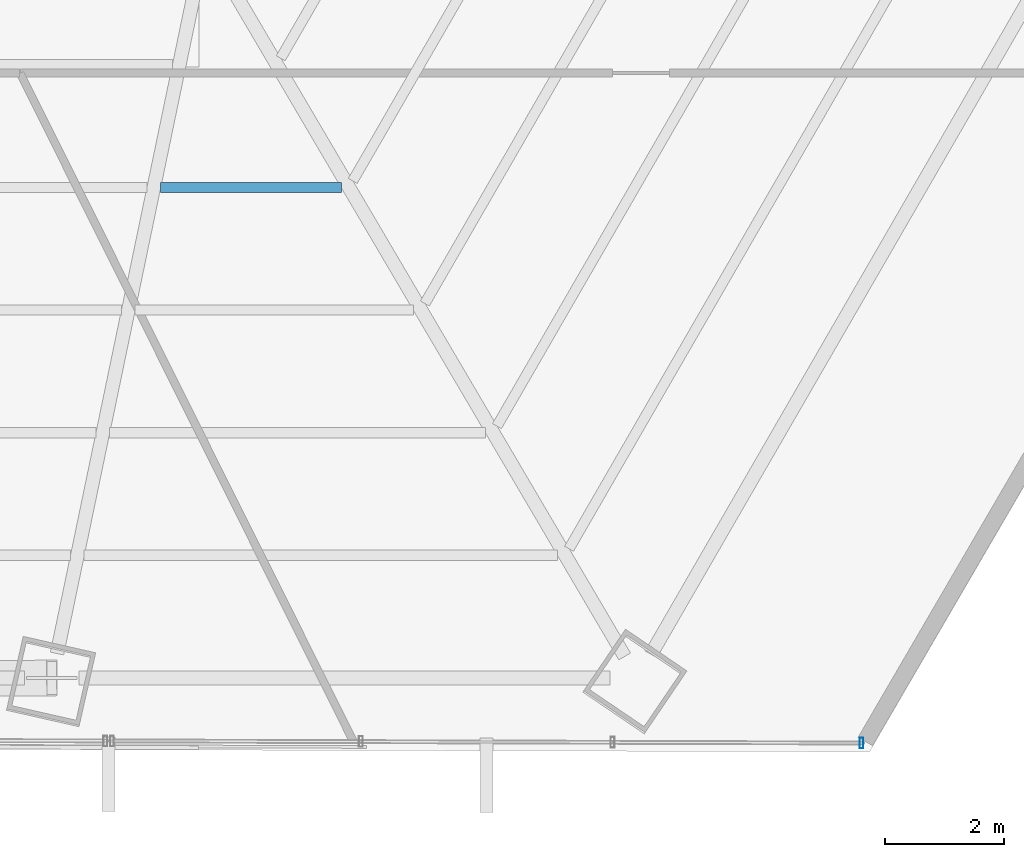
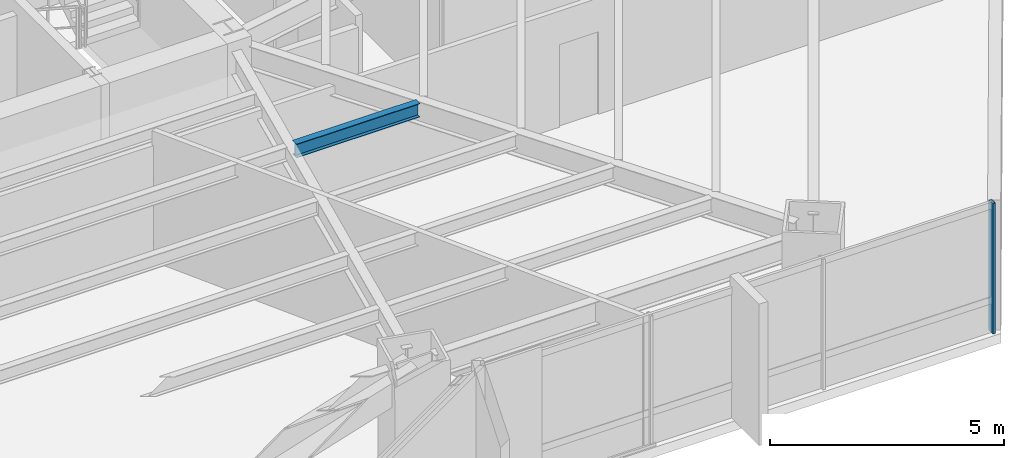
# One storey, part 14 of 33: 1 beam, 1 member, 1 element without a shape of its own.
"""IFC4 building model written with IfcOpenShell, lengths in metres."""

from ifc_helpers import new_model, si_unit, direction, frame, origin, origin_2d, place, context, subcontext, project, spatial, hollow_rectangle, i_section, extrude, source, transform, mapped, material, material_profile, profile_set, type_object, type_shapes, element, aggregate, save


model = new_model("IFC4")

# Units and contexts
model_context = context("Model", 3, precision=1e-05, world=origin(), true_north=direction((0.0, 1.0)))
body_context = subcontext(model_context, "Body", "Model", "MODEL_VIEW")
ifc_project = project(units=[si_unit("LENGTHUNIT", "METRE"), si_unit("AREAUNIT", "SQUARE_METRE"), si_unit("VOLUMEUNIT", "CUBIC_METRE"), si_unit("PLANEANGLEUNIT", "RADIAN"), si_unit("MASSUNIT", "GRAM", prefix="KILO")], contexts=[model_context])

# Site, building, storey
site_placement = place(None, origin())
site = spatial("IfcSite", under=ifc_project, at=site_placement, CompositionType="ELEMENT")
building_placement = place(site_placement, origin())
building = spatial("IfcBuilding", under=site, at=building_placement, Name="Caelisora Broadcast Tower", CompositionType="ELEMENT")
storey_placement = place(building_placement, frame((0.0, 0.0, 34.89990234375)))
storey = spatial("IfcBuildingStorey", under=building, at=storey_placement, Name="L08", CompositionType="ELEMENT", Elevation=34.89990234375)

# Beam
ifc_material_1 = material(Name="Steel Grade 350 (AS/NZS 3679.1)", Category="steel")
ifc_material_profile_1 = material_profile(ifc_material_1, i_section(OverallWidth=0.172119140625, OverallDepth=0.358642578125, WebThickness=0.008056640625, FlangeThickness=0.012939453125, at=origin_2d()), Name="Steel Grade 350 (AS/NZS 3679.1)")
ifc_profile_set_1 = profile_set([ifc_material_profile_1], Name="Steel Grade 350 (AS/NZS 3679.1)")
beam_type = type_object("IfcBeamType", Name="SB02", PredefinedType="JOIST", material=ifc_profile_set_1)
shared_shape_1 = source(origin(), body_context, "Body", "SweptSolid", [
    extrude(i_section(OverallWidth=0.172119140625, OverallDepth=0.358642578125, WebThickness=0.008056640625, FlangeThickness=0.012939453125, at=origin_2d()), origin(), (0.0, 0.0, 1.0), 3.041748046875),
])
type_shapes(beam_type, [shared_shape_1])
beam_placement = place(storey_placement, frame((44.755615234375, 13.272216796875, 3.220703125), z_axis=(1.0, 0.0, 0.0), x_axis=(0.0, 1.0, 0.0)))
element("IfcBeam", 1, at=beam_placement, inside=storey, type_object=beam_type, Name="L08 beam SB02", PredefinedType="JOIST", context=body_context, shape_type="MappedRepresentation", body=[
    mapped(shared_shape_1, transform((0.0, 0.0, 0.0), scale=1.0)),
])

# Curtain wall, member
ifc_material_2 = material(Name="Unitised Aluminium and Low-E Glass Curtain Wall", Category="glass")
curtain_wall_type = type_object("IfcCurtainWallType", Name="CW-Z1", PredefinedType="NOTDEFINED", material=ifc_material_2)
curtain_wall_placement = place(storey_placement, origin())
curtain_wall = element("IfcCurtainWall", 2, at=curtain_wall_placement, inside=storey, type_object=curtain_wall_type, Name="L08 curtain wall CW-Z1", PredefinedType="NOTDEFINED")
ifc_material_3 = material(Name="Aluminium 6063-T6 Anodised Terracotta Bronze", Category="aluminium")
ifc_material_profile_2 = material_profile(ifc_material_3, hollow_rectangle(XDim=0.06494140625, YDim=0.179931640625, WallThickness=0.00341796875, at=origin_2d()), Name="Aluminium 6063-T6 Anodised Terracotta Bronze")
ifc_profile_set_2 = profile_set([ifc_material_profile_2], Name="Aluminium 6063-T6 Anodised Terracotta Bronze")
member_type = type_object("IfcMemberType", Name="CWM-02", PredefinedType="MULLION", material=ifc_profile_set_2)
shared_shape_2 = source(origin(), body_context, "Body", "SweptSolid", [
    extrude(hollow_rectangle(XDim=0.06494140625, YDim=0.179931640625, WallThickness=0.00341796875, at=origin_2d()), origin(), (0.0, 0.0, 1.0), 3.400146484375),
])
type_shapes(member_type, [shared_shape_2])
member_placement = place(storey_placement, frame((56.552978515625, 3.922119140625, 0.0), z_axis=(0.0, 0.0, 1.0), x_axis=(1.0, 0.0, 0.0)))
member = element("IfcMember", 3, at=member_placement, type_object=member_type, Name="L08-CW-B05 mullion #0", PredefinedType="MULLION", context=body_context, shape_type="MappedRepresentation", body=[
    mapped(shared_shape_2, transform((0.0, 0.0, 0.0), scale=1.0)),
])
aggregate(curtain_wall, [member])

save(model, "model.ifc")
